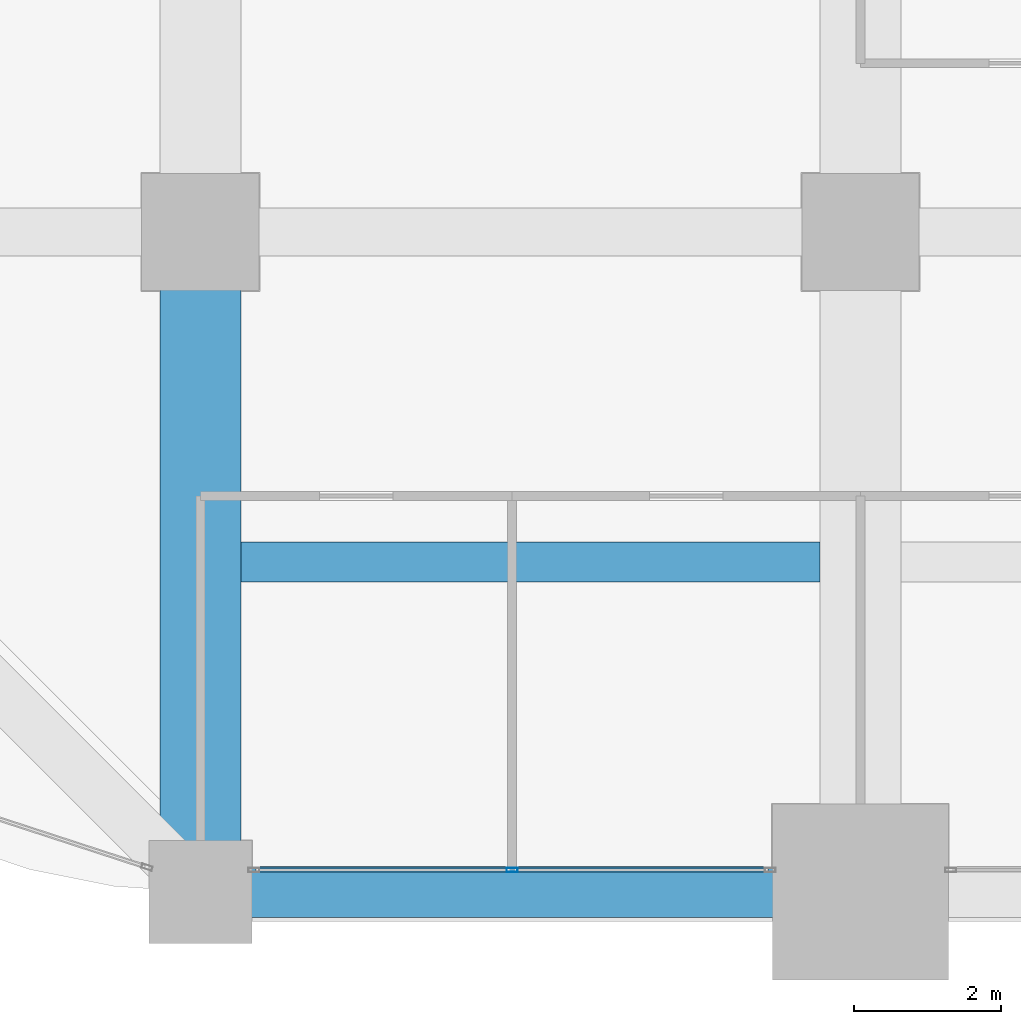
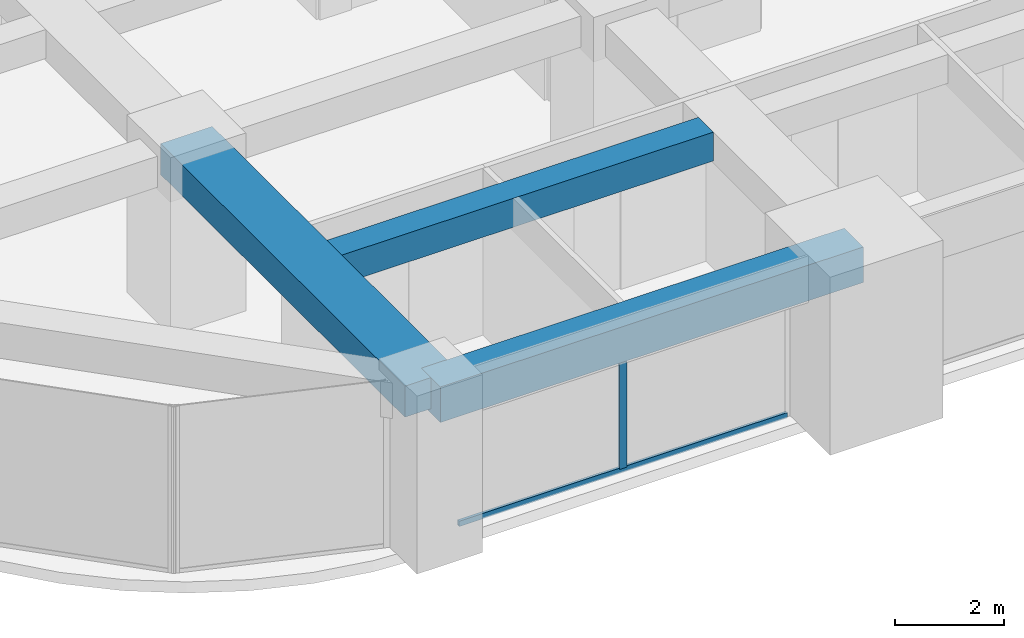
# One storey, part 3 of 34: 3 beams, 2 members, 1 element without a shape of its own.
"""IFC4 building model written with IfcOpenShell, lengths in metres."""

from ifc_helpers import new_model, si_unit, direction, frame, origin, origin_2d, place, context, subcontext, project, spatial, rectangle, hollow_rectangle, extrude, material, material_profile, profile_set, type_object, element, aggregate, save


model = new_model("IFC4")

# Units and contexts
model_context = context("Model", 3, precision=1e-05, world=origin(), true_north=direction((0.0, 1.0)))
body_context = subcontext(model_context, "Body", "Model", "MODEL_VIEW")
ifc_project = project(units=[si_unit("LENGTHUNIT", "METRE"), si_unit("AREAUNIT", "SQUARE_METRE"), si_unit("VOLUMEUNIT", "CUBIC_METRE"), si_unit("PLANEANGLEUNIT", "RADIAN"), si_unit("MASSUNIT", "GRAM", prefix="KILO")], contexts=[model_context])

# Site, building, storey
site_placement = place(None, origin())
site = spatial("IfcSite", under=ifc_project, at=site_placement, CompositionType="ELEMENT")
building_placement = place(site_placement, origin())
building = spatial("IfcBuilding", under=site, at=building_placement, Name="Zorevar Civic Tower", CompositionType="ELEMENT")
storey_placement = place(building_placement, frame((0.0, 0.0, 174.199951171875)))
storey = spatial("IfcBuildingStorey", under=building, at=storey_placement, Name="L42", CompositionType="ELEMENT", Elevation=174.199951171875)

# Beams
ifc_material_1 = material(Name="Concrete C50/60", Category="concrete")
ifc_material_profile_1 = material_profile(ifc_material_1, rectangle(XDim=1.10009765625, YDim=0.699951171875, at=origin_2d()), Name="RC 1100x700")
ifc_profile_set_1 = profile_set([ifc_material_profile_1], Name="Concrete C50/60")
beam_type_1 = type_object("IfcBeamType", Name="Beam RC 1100x700", PredefinedType="BEAM", material=ifc_profile_set_1)
beam_1_placement = place(storey_placement, frame((9.0, 0.0, 3.400146484375), z_axis=(0.0, 1.0, 0.0), x_axis=(-1.0, 0.0, 0.0)))
element("IfcBeam", 1, at=beam_1_placement, inside=storey, type_object=beam_type_1, Name="Girder L43", PredefinedType="BEAM", context=body_context, shape_type="SweptSolid", body=[
    extrude(rectangle(XDim=1.10009765625, YDim=0.699951171875, at=origin_2d()), origin(), (0.0, 0.0, 1.0), 9.0),
])
ifc_material_2 = material(Name="Concrete C50/60", Category="concrete")
ifc_material_profile_2 = material_profile(ifc_material_2, rectangle(XDim=0.550048828125, YDim=0.64990234375, at=origin_2d()), Name="RC 550x650")
ifc_profile_set_2 = profile_set([ifc_material_profile_2], Name="Concrete C50/60")
beam_type_2 = type_object("IfcBeamType", Name="Beam RC 550x650", PredefinedType="BEAM", material=ifc_profile_set_2)
beam_2_placement = place(storey_placement, frame((9.550048828125, 4.5, 3.425048828125), z_axis=(1.0, 0.0, 0.0), x_axis=(0.0, 1.0, 0.0)))
element("IfcBeam", 2, at=beam_2_placement, inside=storey, type_object=beam_type_2, Name="Secondary beam L43", PredefinedType="BEAM", context=body_context, shape_type="SweptSolid", body=[
    extrude(rectangle(XDim=0.550048828125, YDim=0.64990234375, at=origin_2d()), origin(), (0.0, 0.0, 1.0), 7.89990234375),
])

# Curtain wall, members
ifc_material_3 = material(Name="Dark grey solar-control glass in black aluminium frame", Category="aluminium")
curtain_wall_type = type_object("IfcCurtainWallType", Name="Curtain wall CW4 high zone", PredefinedType="NOTDEFINED", material=ifc_material_3)
curtain_wall_placement = place(storey_placement, origin())
curtain_wall = element("IfcCurtainWall", 3, at=curtain_wall_placement, inside=storey, type_object=curtain_wall_type, Name="CW4 L42", PredefinedType="NOTDEFINED")
ifc_material_4 = material(Name="Aluminium, black anodised", Category="aluminium")
ifc_material_profile_3 = material_profile(ifc_material_4, hollow_rectangle(XDim=0.06005859375, YDim=0.14990234375, WallThickness=0.00390625, at=origin_2d()), Name="AL 150x60x4")
ifc_profile_set_3 = profile_set([ifc_material_profile_3], Name="Aluminium, black anodised")
member_type_1 = type_object("IfcMemberType", Name="CW4 mullion AL 150x60x4", PredefinedType="MULLION", material=ifc_profile_set_3)
member_1_placement = place(storey_placement, frame((13.25, 0.300048828125, 0.06005859375), z_axis=(0.0, 0.0, 1.0), x_axis=(0.0, 1.0, 0.0)))
member_1 = element("IfcMember", 4, at=member_1_placement, type_object=member_type_1, Name="CW4 mullion 2", PredefinedType="MULLION", context=body_context, shape_type="SweptSolid", body=[
    extrude(hollow_rectangle(XDim=0.06005859375, YDim=0.14990234375, WallThickness=0.00390625, at=origin_2d()), origin(), (0.0, 0.0, 1.0), 2.889892578125),
])
ifc_material_5 = material(Name="Aluminium, black anodised", Category="aluminium")
ifc_material_profile_4 = material_profile(ifc_material_5, hollow_rectangle(XDim=0.06005859375, YDim=0.1201171875, WallThickness=0.0029296875, at=origin_2d()), Name="AL 120x60x3")
ifc_profile_set_4 = profile_set([ifc_material_profile_4], Name="Aluminium, black anodised")
member_type_2 = type_object("IfcMemberType", Name="CW4 transom AL 120x60x3", PredefinedType="USERDEFINED", material=ifc_profile_set_4)
member_2_placement = place(storey_placement, frame((9.760009765625, 0.300048828125, 0.030029296875), z_axis=(1.0, 0.0, 0.0), x_axis=(0.0, 1.0, 0.0)))
member_2 = element("IfcMember", 5, at=member_2_placement, type_object=member_type_2, Name="CW4 sill transom", ObjectType="TRANSOM", PredefinedType="USERDEFINED", context=body_context, shape_type="SweptSolid", body=[
    extrude(hollow_rectangle(XDim=0.06005859375, YDim=0.1201171875, WallThickness=0.0029296875, at=origin_2d()), origin(), (0.0, 0.0, 1.0), 6.97998046875),
])
aggregate(curtain_wall, [member_1, member_2])

# Beam
ifc_material_6 = material(Name="Concrete C50/60", Category="concrete")
ifc_material_profile_5 = material_profile(ifc_material_6, rectangle(XDim=0.699951171875, YDim=0.800048828125, at=origin_2d()), Name="RC 700x800")
ifc_profile_set_5 = profile_set([ifc_material_profile_5], Name="Concrete C50/60")
beam_type_3 = type_object("IfcBeamType", Name="Edge beam RC 700x800", PredefinedType="SPANDREL", material=ifc_profile_set_5)
beam_3_placement = place(storey_placement, frame((9.0, 0.0, 3.35009765625), z_axis=(1.0, 0.0, 0.0), x_axis=(0.0, 1.0, 0.0)))
element("IfcBeam", 6, at=beam_3_placement, inside=storey, type_object=beam_type_3, Name="Edge beam L43", PredefinedType="SPANDREL", context=body_context, shape_type="SweptSolid", body=[
    extrude(rectangle(XDim=0.699951171875, YDim=0.800048828125, at=origin_2d()), origin(), (0.0, 0.0, 1.0), 9.0),
])

save(model, "model.ifc")
